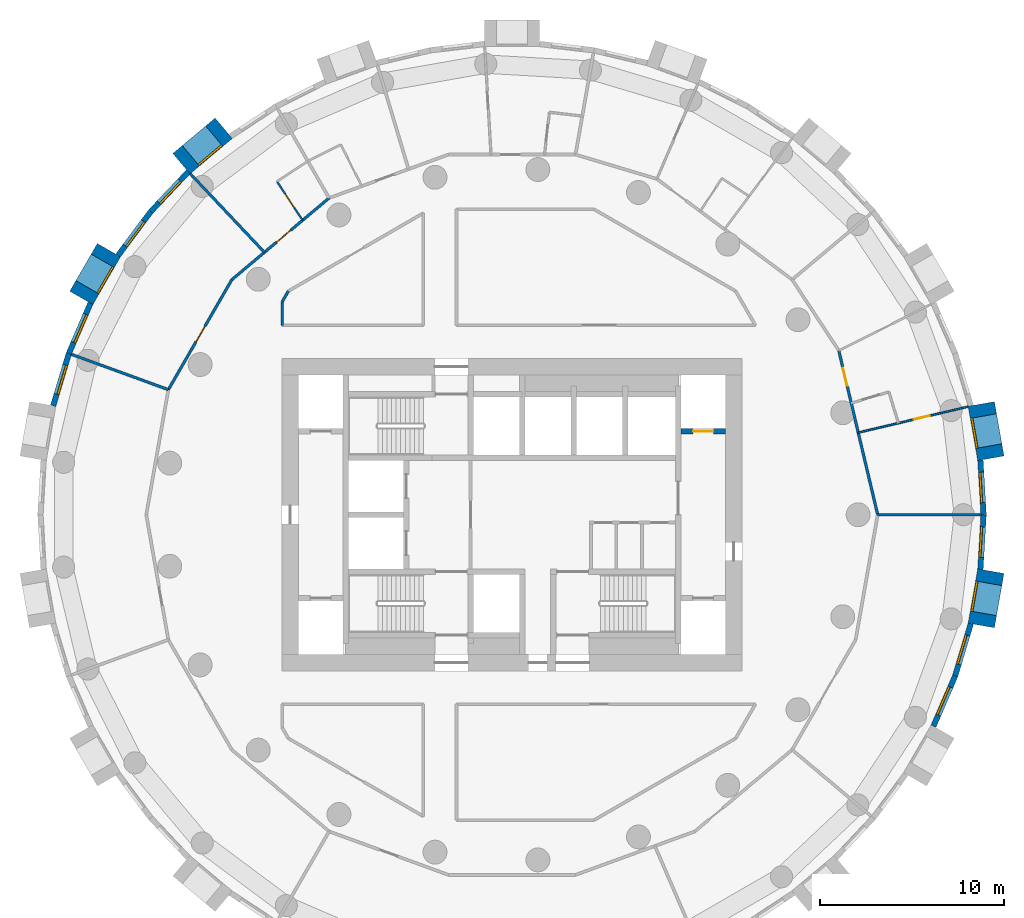
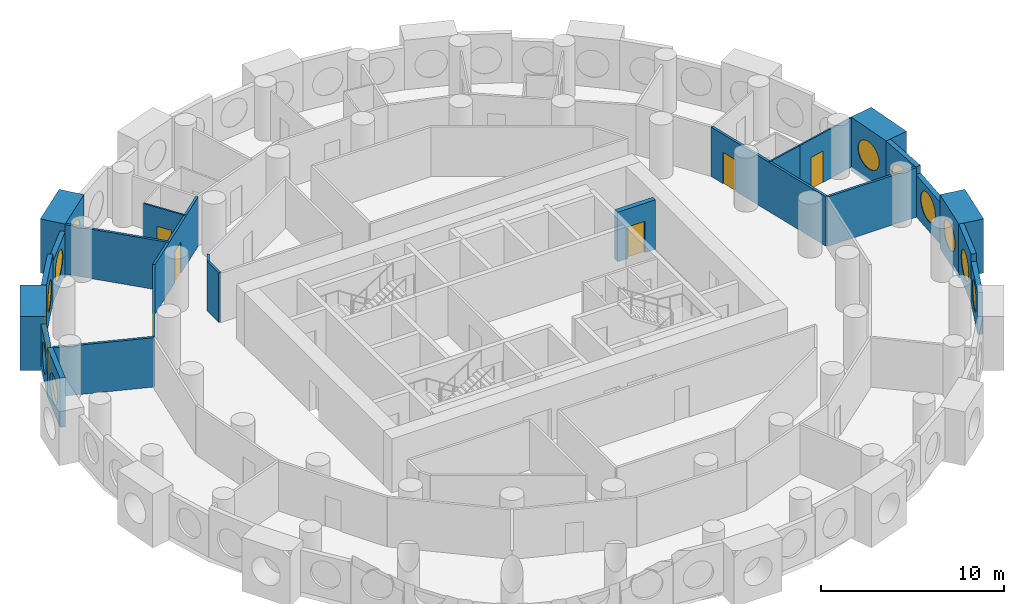
# One storey, part 5 of 9: 24 walls, 12 windows, 6 doors, 18 openings.
"""IFC4 building model written with IfcOpenShell, lengths in metres."""

from ifc_helpers import new_model, si_unit, direction, frame, frame_2d, origin, origin_2d, place, context, subcontext, project, spatial, rectangle, circle, extrude, material, layer, layer_set, type_object, element, fill, save


model = new_model("IFC4")

# Units and contexts
model_context = context("Model", 3, precision=1e-05, world=origin(), true_north=direction((0.0, 1.0)))
body_context = subcontext(model_context, "Body", "Model", "MODEL_VIEW")
ifc_project = project(units=[si_unit("LENGTHUNIT", "METRE"), si_unit("AREAUNIT", "SQUARE_METRE"), si_unit("VOLUMEUNIT", "CUBIC_METRE"), si_unit("PLANEANGLEUNIT", "RADIAN"), si_unit("MASSUNIT", "GRAM", prefix="KILO")], contexts=[model_context])

# Site, building, storey
site_placement = place(None, origin())
site = spatial("IfcSite", under=ifc_project, at=site_placement, CompositionType="ELEMENT")
building_placement = place(site_placement, origin())
building = spatial("IfcBuilding", under=site, at=building_placement, Name="Tracery Tower", CompositionType="ELEMENT")
storey_placement = place(building_placement, frame((0.0, 0.0, 172.800048828125)))
storey = spatial("IfcBuildingStorey", under=building, at=storey_placement, Name="L44", CompositionType="ELEMENT", Elevation=172.800048828125)

# Wall, opening, window
ifc_material_1 = material(Name="Precast concrete C50/60", Category="concrete")
ifc_layer_1 = layer(ifc_material_1, 1.449951171875)
ifc_layer_set_1 = layer_set([ifc_layer_1], Name="Deep-set bay unit 3000 x 3600, slab edge 300")
wall_type_1 = type_object("IfcWallType", Name="Deep-set bay unit 3000 x 3600, slab edge 300", PredefinedType="ELEMENTEDWALL", material=ifc_layer_set_1)
wall_1_placement = place(storey_placement, frame((26.041748046875, 3.06884765625, -0.300048828125), z_axis=(0.0, 0.0, 1.0), x_axis=(-0.173669267716, 0.984804034035, 0.0)))
wall_1 = element("IfcWall", 1, at=wall_1_placement, inside=storey, type_object=wall_type_1, Name="Deep-set bay unit 2 at L44", PredefinedType="ELEMENTEDWALL", context=body_context, shape_type="SweptSolid", body=[
    extrude(rectangle(XDim=3.0, YDim=1.449951171875, at=frame_2d((1.5, 0.0))), origin(), (0.0, 0.0, 1.0), 3.60009765625),
])
opening_1_placement = place(wall_1_placement, frame((1.5, 0.0, 1.85009765625)))
opening_1 = element("IfcOpeningElement", 2, at=opening_1_placement, cuts=wall_1, Name="Opening WN1", PredefinedType="OPENING", context=body_context, shape_type="SweptSolid", body=[
    extrude(circle(Radius=0.9000244140625, at=origin_2d()), frame((0.0, 0.73486328125, 0.0), z_axis=(0.0, -1.0, 0.0), x_axis=(1.0, 0.0, 0.0)), (0.0, 0.0, 1.0), 1.469970703125),
])
ifc_material_2 = material(Name="Aluminium frame with tinted double glazing", Category="aluminium")
window_type = type_object("IfcWindowType", Name="Round window 1800", PartitioningType="SINGLE_PANEL", PredefinedType="WINDOW", material=ifc_material_2)
window_1_placement = place(opening_1_placement, origin())
window_1 = element("IfcWindow", 3, at=window_1_placement, inside=storey, type_object=window_type, Name="Round window 2 at L44", OverallHeight=1.800048828125, OverallWidth=1.800048828125, PartitioningType="SINGLE_PANEL", PredefinedType="WINDOW", context=body_context, shape_type="SweptSolid", body=[
    extrude(circle(Radius=0.9000244140625, at=origin_2d()), frame((0.0, 0.69482421875, 0.0), z_axis=(0.0, -1.0, 0.0), x_axis=(1.0, 0.0, 0.0)), (0.0, 0.0, 1.0), 0.10009765625),
])
fill(opening_1, window_1)

wall_2_placement = place(storey_placement, frame((-15.678466796875, 21.0185546875, -0.300048828125), z_axis=(0.0, 0.0, 1.0), x_axis=(-0.766022196139, -0.642814121673, 0.0)))
wall_2 = element("IfcWall", 4, at=wall_2_placement, inside=storey, type_object=wall_type_1, Name="Deep-set bay unit 20 at L44", PredefinedType="ELEMENTEDWALL", context=body_context, shape_type="SweptSolid", body=[
    extrude(rectangle(XDim=3.0, YDim=1.449951171875, at=frame_2d((1.5, 0.0))), origin(), (0.0, 0.0, 1.0), 3.60009765625),
])
opening_2_placement = place(wall_2_placement, frame((1.5, 0.0, 1.85009765625)))
opening_2 = element("IfcOpeningElement", 5, at=opening_2_placement, cuts=wall_2, Name="Opening WN1", PredefinedType="OPENING", context=body_context, shape_type="SweptSolid", body=[
    extrude(circle(Radius=0.9000244140625, at=origin_2d()), frame((0.0, 0.73486328125, 0.0), z_axis=(0.0, -1.0, 0.0), x_axis=(1.0, 0.0, 0.0)), (0.0, 0.0, 1.0), 1.469970703125),
])
window_2_placement = place(opening_2_placement, origin())
window_2 = element("IfcWindow", 6, at=window_2_placement, inside=storey, type_object=window_type, Name="Round window 20 at L44", OverallHeight=1.800048828125, OverallWidth=1.800048828125, PartitioningType="SINGLE_PANEL", PredefinedType="WINDOW", context=body_context, shape_type="SweptSolid", body=[
    extrude(circle(Radius=0.9000244140625, at=origin_2d()), frame((0.0, 0.69482421875, 0.0), z_axis=(0.0, -1.0, 0.0), x_axis=(1.0, 0.0, 0.0)), (0.0, 0.0, 1.0), 0.10009765625),
])
fill(opening_2, window_2)

wall_3_placement = place(storey_placement, frame((-21.921630859375, 14.388671875, -0.300048828125), z_axis=(0.0, 0.0, 1.0), x_axis=(-0.499990139034, -0.866031096941, 0.0)))
wall_3 = element("IfcWall", 7, at=wall_3_placement, inside=storey, type_object=wall_type_1, Name="Deep-set bay unit 23 at L44", PredefinedType="ELEMENTEDWALL", context=body_context, shape_type="SweptSolid", body=[
    extrude(rectangle(XDim=3.0, YDim=1.449951171875, at=frame_2d((1.5, 0.0))), origin(), (0.0, 0.0, 1.0), 3.60009765625),
])
opening_3_placement = place(wall_3_placement, frame((1.5, 0.0, 1.85009765625)))
opening_3 = element("IfcOpeningElement", 8, at=opening_3_placement, cuts=wall_3, Name="Opening WN1", PredefinedType="OPENING", context=body_context, shape_type="SweptSolid", body=[
    extrude(circle(Radius=0.9000244140625, at=origin_2d()), frame((0.0, 0.73486328125, 0.0), z_axis=(0.0, -1.0, 0.0), x_axis=(1.0, 0.0, 0.0)), (0.0, 0.0, 1.0), 1.469970703125),
])
window_3_placement = place(opening_3_placement, origin())
window_3 = element("IfcWindow", 9, at=window_3_placement, inside=storey, type_object=window_type, Name="Round window 23 at L44", OverallHeight=1.800048828125, OverallWidth=1.800048828125, PartitioningType="SINGLE_PANEL", PredefinedType="WINDOW", context=body_context, shape_type="SweptSolid", body=[
    extrude(circle(Radius=0.9000244140625, at=origin_2d()), frame((0.0, 0.69482421875, 0.0), z_axis=(0.0, -1.0, 0.0), x_axis=(1.0, 0.0, 0.0)), (0.0, 0.0, 1.0), 0.10009765625),
])
fill(opening_3, window_3)

wall_4_placement = place(storey_placement, frame((25.520751953125, -6.023193359375, -0.300048828125), z_axis=(0.0, 0.0, 1.0), x_axis=(0.173669267716, 0.984804034035, 0.0)))
wall_4 = element("IfcWall", 10, at=wall_4_placement, inside=storey, type_object=wall_type_1, Name="Deep-set bay unit 53 at L44", PredefinedType="ELEMENTEDWALL", context=body_context, shape_type="SweptSolid", body=[
    extrude(rectangle(XDim=3.0, YDim=1.449951171875, at=frame_2d((1.5, 0.0))), origin(), (0.0, 0.0, 1.0), 3.60009765625),
])
opening_4_placement = place(wall_4_placement, frame((1.5, 0.0, 1.85009765625)))
opening_4 = element("IfcOpeningElement", 11, at=opening_4_placement, cuts=wall_4, Name="Opening WN1", PredefinedType="OPENING", context=body_context, shape_type="SweptSolid", body=[
    extrude(circle(Radius=0.9000244140625, at=origin_2d()), frame((0.0, 0.73486328125, 0.0), z_axis=(0.0, -1.0, 0.0), x_axis=(1.0, 0.0, 0.0)), (0.0, 0.0, 1.0), 1.469970703125),
])
window_4_placement = place(opening_4_placement, origin())
window_4 = element("IfcWindow", 12, at=window_4_placement, inside=storey, type_object=window_type, Name="Round window 53 at L44", OverallHeight=1.800048828125, OverallWidth=1.800048828125, PartitioningType="SINGLE_PANEL", PredefinedType="WINDOW", context=body_context, shape_type="SweptSolid", body=[
    extrude(circle(Radius=0.9000244140625, at=origin_2d()), frame((0.0, 0.69482421875, 0.0), z_axis=(0.0, -1.0, 0.0), x_axis=(1.0, 0.0, 0.0)), (0.0, 0.0, 1.0), 0.10009765625),
])
fill(opening_4, window_4)

ifc_material_3 = material(Name="Precast concrete C50/60", Category="concrete")
ifc_layer_2 = layer(ifc_material_3, 0.300048828125)
ifc_layer_set_2 = layer_set([ifc_layer_2], Name="Facade panel 3000 x 2800")
wall_type_2 = type_object("IfcWallType", Name="Facade panel 3000 x 2800", PredefinedType="SOLIDWALL", material=ifc_layer_set_2)
wall_5_placement = place(storey_placement, frame((-17.60693359375, 18.648193359375, 0.0), z_axis=(0.0, 0.0, 1.0), x_axis=(-0.686235184166, -0.727379730273, 0.0)))
wall_5 = element("IfcWall", 13, at=wall_5_placement, inside=storey, type_object=wall_type_2, Name="Facade panel 21 at L44", PredefinedType="SOLIDWALL", context=body_context, shape_type="SweptSolid", body=[
    extrude(rectangle(XDim=2.972900390625, YDim=0.300048828125, at=frame_2d((1.486328125, 0.0))), origin(), (0.0, 0.0, 1.0), 2.800048828125),
])
opening_5_placement = place(wall_5_placement, frame((1.486328125, 0.0, 1.5498046875)))
opening_5 = element("IfcOpeningElement", 14, at=opening_5_placement, cuts=wall_5, Name="Opening WN1", PredefinedType="OPENING", context=body_context, shape_type="SweptSolid", body=[
    extrude(circle(Radius=0.9000244140625, at=origin_2d()), frame((0.0, 0.159912109375, 0.0), z_axis=(0.0, -1.0, 0.0), x_axis=(1.0, 0.0, 0.0)), (0.0, 0.0, 1.0), 0.320068359375),
])
window_5_placement = place(opening_5_placement, origin())
window_5 = element("IfcWindow", 15, at=window_5_placement, inside=storey, type_object=window_type, Name="Round window 21 at L44", OverallHeight=1.800048828125, OverallWidth=1.800048828125, PartitioningType="SINGLE_PANEL", PredefinedType="WINDOW", context=body_context, shape_type="SweptSolid", body=[
    extrude(circle(Radius=0.9000244140625, at=origin_2d()), frame((0.0, 0.1201171875, 0.0), z_axis=(0.0, -1.0, 0.0), x_axis=(1.0, 0.0, 0.0)), (0.0, 0.0, 1.0), 0.10009765625),
])
fill(opening_5, window_5)

wall_6_placement = place(storey_placement, frame((-22.923095703125, 11.501708984375, 0.0), z_axis=(0.0, 0.0, 1.0), x_axis=(-0.396148129016, -0.918186614952, 0.0)))
wall_6 = element("IfcWall", 16, at=wall_6_placement, inside=storey, type_object=wall_type_2, Name="Facade panel 24 at L44", PredefinedType="SOLIDWALL", context=body_context, shape_type="SweptSolid", body=[
    extrude(rectangle(XDim=2.972900390625, YDim=0.300048828125, at=frame_2d((1.486328125, 0.0))), origin(), (0.0, 0.0, 1.0), 2.800048828125),
])
opening_6_placement = place(wall_6_placement, frame((1.486328125, 0.0, 1.5498046875)))
opening_6 = element("IfcOpeningElement", 17, at=opening_6_placement, cuts=wall_6, Name="Opening WN1", PredefinedType="OPENING", context=body_context, shape_type="SweptSolid", body=[
    extrude(circle(Radius=0.9000244140625, at=origin_2d()), frame((0.0, 0.159912109375, 0.0), z_axis=(0.0, -1.0, 0.0), x_axis=(1.0, 0.0, 0.0)), (0.0, 0.0, 1.0), 0.320068359375),
])
window_6_placement = place(opening_6_placement, origin())
window_6 = element("IfcWindow", 18, at=window_6_placement, inside=storey, type_object=window_type, Name="Round window 24 at L44", OverallHeight=1.800048828125, OverallWidth=1.800048828125, PartitioningType="SINGLE_PANEL", PredefinedType="WINDOW", context=body_context, shape_type="SweptSolid", body=[
    extrude(circle(Radius=0.9000244140625, at=origin_2d()), frame((0.0, 0.1201171875, 0.0), z_axis=(0.0, -1.0, 0.0), x_axis=(1.0, 0.0, 0.0)), (0.0, 0.0, 1.0), 0.10009765625),
])
fill(opening_6, window_6)

wall_7_placement = place(storey_placement, frame((22.923095703125, -11.501708984375, 0.0), z_axis=(0.0, 0.0, 1.0), x_axis=(0.396148129016, 0.918186614952, 0.0)))
wall_7 = element("IfcWall", 19, at=wall_7_placement, inside=storey, type_object=wall_type_2, Name="Facade panel 51 at L44", PredefinedType="SOLIDWALL", context=body_context, shape_type="SweptSolid", body=[
    extrude(rectangle(XDim=2.972900390625, YDim=0.300048828125, at=frame_2d((1.486328125, 0.0))), origin(), (0.0, 0.0, 1.0), 2.800048828125),
])
opening_7_placement = place(wall_7_placement, frame((1.486328125, 0.0, 1.5498046875)))
opening_7 = element("IfcOpeningElement", 20, at=opening_7_placement, cuts=wall_7, Name="Opening WN1", PredefinedType="OPENING", context=body_context, shape_type="SweptSolid", body=[
    extrude(circle(Radius=0.9000244140625, at=origin_2d()), frame((0.0, 0.159912109375, 0.0), z_axis=(0.0, -1.0, 0.0), x_axis=(1.0, 0.0, 0.0)), (0.0, 0.0, 1.0), 0.320068359375),
])
window_7_placement = place(opening_7_placement, origin())
window_7 = element("IfcWindow", 21, at=window_7_placement, inside=storey, type_object=window_type, Name="Round window 51 at L44", OverallHeight=1.800048828125, OverallWidth=1.800048828125, PartitioningType="SINGLE_PANEL", PredefinedType="WINDOW", context=body_context, shape_type="SweptSolid", body=[
    extrude(circle(Radius=0.9000244140625, at=origin_2d()), frame((0.0, 0.1201171875, 0.0), z_axis=(0.0, -1.0, 0.0), x_axis=(1.0, 0.0, 0.0)), (0.0, 0.0, 1.0), 0.10009765625),
])
fill(opening_7, window_7)

wall_8_placement = place(storey_placement, frame((25.474609375, -2.9677734375, 0.0), z_axis=(0.0, 0.0, 1.0), x_axis=(0.058144307138, 0.998308188661, 0.0)))
wall_8 = element("IfcWall", 22, at=wall_8_placement, inside=storey, type_object=wall_type_2, Name="Facade panel 54 at L44", PredefinedType="SOLIDWALL", context=body_context, shape_type="SweptSolid", body=[
    extrude(rectangle(XDim=2.972900390625, YDim=0.300048828125, at=frame_2d((1.486328125, 0.0))), origin(), (0.0, 0.0, 1.0), 2.800048828125),
])
opening_8_placement = place(wall_8_placement, frame((1.486328125, 0.0, 1.5498046875)))
opening_8 = element("IfcOpeningElement", 23, at=opening_8_placement, cuts=wall_8, Name="Opening WN1", PredefinedType="OPENING", context=body_context, shape_type="SweptSolid", body=[
    extrude(circle(Radius=0.9000244140625, at=origin_2d()), frame((0.0, 0.159912109375, 0.0), z_axis=(0.0, -1.0, 0.0), x_axis=(1.0, 0.0, 0.0)), (0.0, 0.0, 1.0), 0.320068359375),
])
window_8_placement = place(opening_8_placement, origin())
window_8 = element("IfcWindow", 24, at=window_8_placement, inside=storey, type_object=window_type, Name="Round window 54 at L44", OverallHeight=1.800048828125, OverallWidth=1.800048828125, PartitioningType="SINGLE_PANEL", PredefinedType="WINDOW", context=body_context, shape_type="SweptSolid", body=[
    extrude(circle(Radius=0.9000244140625, at=origin_2d()), frame((0.0, 0.1201171875, 0.0), z_axis=(0.0, -1.0, 0.0), x_axis=(1.0, 0.0, 0.0)), (0.0, 0.0, 1.0), 0.10009765625),
])
fill(opening_8, window_8)

ifc_material_4 = material(Name="Precast concrete C50/60", Category="concrete")
ifc_layer_3 = layer(ifc_material_4, 0.300048828125)
ifc_layer_set_3 = layer_set([ifc_layer_3], Name="Facade panel 3000 x 3300")
wall_type_3 = type_object("IfcWallType", Name="Facade panel 3000 x 3300", PredefinedType="SOLIDWALL", material=ifc_layer_set_3)
wall_9_placement = place(storey_placement, frame((25.6474609375, 0.0, 0.0), z_axis=(0.0, 0.0, 1.0), x_axis=(-0.058144307138, 0.998308188661, 0.0)))
wall_9 = element("IfcWall", 25, at=wall_9_placement, inside=storey, type_object=wall_type_3, Name="Facade panel 1 at L44", PredefinedType="SOLIDWALL", context=body_context, shape_type="SweptSolid", body=[
    extrude(rectangle(XDim=2.972900390625, YDim=0.300048828125, at=frame_2d((1.486328125, 0.0))), origin(), (0.0, 0.0, 1.0), 3.300048828125),
])
opening_9_placement = place(wall_9_placement, frame((1.486328125, 0.0, 1.5498046875)))
opening_9 = element("IfcOpeningElement", 26, at=opening_9_placement, cuts=wall_9, Name="Opening WN1", PredefinedType="OPENING", context=body_context, shape_type="SweptSolid", body=[
    extrude(circle(Radius=0.9000244140625, at=origin_2d()), frame((0.0, 0.159912109375, 0.0), z_axis=(0.0, -1.0, 0.0), x_axis=(1.0, 0.0, 0.0)), (0.0, 0.0, 1.0), 0.320068359375),
])
window_9_placement = place(opening_9_placement, origin())
window_9 = element("IfcWindow", 27, at=window_9_placement, inside=storey, type_object=window_type, Name="Round window 1 at L44", OverallHeight=1.800048828125, OverallWidth=1.800048828125, PartitioningType="SINGLE_PANEL", PredefinedType="WINDOW", context=body_context, shape_type="SweptSolid", body=[
    extrude(circle(Radius=0.9000244140625, at=origin_2d()), frame((0.0, 0.1201171875, 0.0), z_axis=(0.0, -1.0, 0.0), x_axis=(1.0, 0.0, 0.0)), (0.0, 0.0, 1.0), 0.10009765625),
])
fill(opening_9, window_9)

wall_10_placement = place(storey_placement, frame((-19.64697265625, 16.48583984375, 0.0), z_axis=(0.0, 0.0, 1.0), x_axis=(-0.597197580538, -0.80209416517, 0.0)))
wall_10 = element("IfcWall", 28, at=wall_10_placement, inside=storey, type_object=wall_type_3, Name="Facade panel 22 at L44", PredefinedType="SOLIDWALL", context=body_context, shape_type="SweptSolid", body=[
    extrude(rectangle(XDim=2.972900390625, YDim=0.300048828125, at=frame_2d((1.486328125, 0.0))), origin(), (0.0, 0.0, 1.0), 3.300048828125),
])
opening_10_placement = place(wall_10_placement, frame((1.486328125, 0.0, 1.5498046875)))
opening_10 = element("IfcOpeningElement", 29, at=opening_10_placement, cuts=wall_10, Name="Opening WN1", PredefinedType="OPENING", context=body_context, shape_type="SweptSolid", body=[
    extrude(circle(Radius=0.9000244140625, at=origin_2d()), frame((0.0, 0.159912109375, 0.0), z_axis=(0.0, -1.0, 0.0), x_axis=(1.0, 0.0, 0.0)), (0.0, 0.0, 1.0), 0.320068359375),
])
window_10_placement = place(opening_10_placement, origin())
window_10 = element("IfcWindow", 30, at=window_10_placement, inside=storey, type_object=window_type, Name="Round window 22 at L44", OverallHeight=1.800048828125, OverallWidth=1.800048828125, PartitioningType="SINGLE_PANEL", PredefinedType="WINDOW", context=body_context, shape_type="SweptSolid", body=[
    extrude(circle(Radius=0.9000244140625, at=origin_2d()), frame((0.0, 0.1201171875, 0.0), z_axis=(0.0, -1.0, 0.0), x_axis=(1.0, 0.0, 0.0)), (0.0, 0.0, 1.0), 0.10009765625),
])
fill(opening_10, window_10)

wall_11_placement = place(storey_placement, frame((-24.100830078125, 8.77197265625, 0.0), z_axis=(0.0, 0.0, 1.0), x_axis=(-0.286782750849, -0.957995643944, 0.0)))
wall_11 = element("IfcWall", 31, at=wall_11_placement, inside=storey, type_object=wall_type_3, Name="Facade panel 25 at L44", PredefinedType="SOLIDWALL", context=body_context, shape_type="SweptSolid", body=[
    extrude(rectangle(XDim=2.97265625, YDim=0.300048828125, at=frame_2d((1.486328125, 0.0))), origin(), (0.0, 0.0, 1.0), 3.300048828125),
])
opening_11_placement = place(wall_11_placement, frame((1.486328125, 0.0, 1.5498046875)))
opening_11 = element("IfcOpeningElement", 32, at=opening_11_placement, cuts=wall_11, Name="Opening WN1", PredefinedType="OPENING", context=body_context, shape_type="SweptSolid", body=[
    extrude(circle(Radius=0.9000244140625, at=origin_2d()), frame((0.0, 0.159912109375, 0.0), z_axis=(0.0, -1.0, 0.0), x_axis=(1.0, 0.0, 0.0)), (0.0, 0.0, 1.0), 0.320068359375),
])
window_11_placement = place(opening_11_placement, origin())
window_11 = element("IfcWindow", 33, at=window_11_placement, inside=storey, type_object=window_type, Name="Round window 25 at L44", OverallHeight=1.800048828125, OverallWidth=1.800048828125, PartitioningType="SINGLE_PANEL", PredefinedType="WINDOW", context=body_context, shape_type="SweptSolid", body=[
    extrude(circle(Radius=0.9000244140625, at=origin_2d()), frame((0.0, 0.1201171875, 0.0), z_axis=(0.0, -1.0, 0.0), x_axis=(1.0, 0.0, 0.0)), (0.0, 0.0, 1.0), 0.10009765625),
])
fill(opening_11, window_11)

wall_12_placement = place(storey_placement, frame((24.100830078125, -8.77197265625, 0.0), z_axis=(0.0, 0.0, 1.0), x_axis=(0.286782750849, 0.957995643944, 0.0)))
wall_12 = element("IfcWall", 34, at=wall_12_placement, inside=storey, type_object=wall_type_3, Name="Facade panel 52 at L44", PredefinedType="SOLIDWALL", context=body_context, shape_type="SweptSolid", body=[
    extrude(rectangle(XDim=2.97265625, YDim=0.300048828125, at=frame_2d((1.486328125, 0.0))), origin(), (0.0, 0.0, 1.0), 3.300048828125),
])
opening_12_placement = place(wall_12_placement, frame((1.486328125, 0.0, 1.5498046875)))
opening_12 = element("IfcOpeningElement", 35, at=opening_12_placement, cuts=wall_12, Name="Opening WN1", PredefinedType="OPENING", context=body_context, shape_type="SweptSolid", body=[
    extrude(circle(Radius=0.9000244140625, at=origin_2d()), frame((0.0, 0.159912109375, 0.0), z_axis=(0.0, -1.0, 0.0), x_axis=(1.0, 0.0, 0.0)), (0.0, 0.0, 1.0), 0.320068359375),
])
window_12_placement = place(opening_12_placement, origin())
window_12 = element("IfcWindow", 36, at=window_12_placement, inside=storey, type_object=window_type, Name="Round window 52 at L44", OverallHeight=1.800048828125, OverallWidth=1.800048828125, PartitioningType="SINGLE_PANEL", PredefinedType="WINDOW", context=body_context, shape_type="SweptSolid", body=[
    extrude(circle(Radius=0.9000244140625, at=origin_2d()), frame((0.0, 0.1201171875, 0.0), z_axis=(0.0, -1.0, 0.0), x_axis=(1.0, 0.0, 0.0)), (0.0, 0.0, 1.0), 0.10009765625),
])
fill(opening_12, window_12)

# Wall, opening, door
ifc_material_5 = material(Name="Plasterboard on steel studs", Category="steel")
ifc_layer_4 = layer(ifc_material_5, 0.10009765625)
ifc_layer_set_4 = layer_set([ifc_layer_4], Name="Partition 100 stud")
wall_type_4 = type_object("IfcWallType", Name="Partition 100 stud", PredefinedType="PARTITIONING", material=ifc_layer_set_4)
wall_13_placement = place(storey_placement, frame((21.010986328125, 4.97998046875, 0.0), z_axis=(0.0, 0.0, 1.0), x_axis=(0.973073275162, 0.230495989477, 0.0)))
wall_13 = element("IfcWall", 37, at=wall_13_placement, inside=storey, type_object=wall_type_4, Name="Stud partition RB5-039", PredefinedType="PARTITIONING", context=body_context, shape_type="SweptSolid", body=[
    extrude(rectangle(XDim=3.904296875, YDim=0.10009765625, at=frame_2d((1.9521484375, 0.0))), origin(), (0.0, 0.0, 1.0), 3.300048828125),
])
opening_13_placement = place(wall_13_placement, frame((0.852294921875, 0.0, 0.0)))
opening_13 = element("IfcOpeningElement", 38, at=opening_13_placement, cuts=wall_13, Name="Opening RB5-05", PredefinedType="OPENING", context=body_context, shape_type="SweptSolid", body=[
    extrude(rectangle(XDim=0.89990234375, YDim=2.10009765625, at=frame_2d((0.449951171875, 1.050048828125))), frame((0.0, 0.050048828125, 0.0), z_axis=(0.0, -1.0, 0.0), x_axis=(1.0, 0.0, 0.0)), (0.0, 0.0, 1.0), 0.10009765625),
])
ifc_material_6 = material(Name="Timber door leaf", Category="wood")
door_type_1 = type_object("IfcDoorType", Name="Door bedroom 900", OperationType="NOTDEFINED", PredefinedType="DOOR", material=ifc_material_6)
door_1_placement = place(opening_13_placement, origin())
door_1 = element("IfcDoor", 39, at=door_1_placement, inside=storey, type_object=door_type_1, Name="Bedroom door RB5-05", OperationType="SINGLE_SWING_RIGHT", OverallHeight=2.10009765625, OverallWidth=0.89990234375, PredefinedType="DOOR", context=body_context, shape_type="SweptSolid", body=[
    extrude(rectangle(XDim=0.89990234375, YDim=2.10009765625, at=frame_2d((0.449951171875, 1.050048828125))), frame((0.0, 0.02490234375, 0.0), z_axis=(0.0, -1.0, 0.0), x_axis=(1.0, 0.0, 0.0)), (0.0, 0.0, 1.0), 0.050048828125),
])
fill(opening_13, door_1)

# Wall
ifc_material_7 = material(Name="Plasterboard on steel studs", Category="steel")
ifc_layer_5 = layer(ifc_material_7, 0.10009765625)
ifc_layer_set_5 = layer_set([ifc_layer_5], Name="Partition 100 wet wall")
wall_type_5 = type_object("IfcWallType", Name="Partition 100 wet wall", PredefinedType="PARTITIONING", material=ifc_layer_set_5)
wall_14_placement = place(storey_placement, frame((18.830078125, 4.462890625, 0.0), z_axis=(0.0, 0.0, 1.0), x_axis=(0.973019293695, 0.23072376145, 0.0)))
element("IfcWall", 40, at=wall_14_placement, inside=storey, type_object=wall_type_5, Name="Wet wall RB5-043", PredefinedType="PARTITIONING", context=body_context, shape_type="SweptSolid", body=[
    extrude(rectangle(XDim=2.245361328125, YDim=0.10009765625, at=frame_2d((1.12255859375, 0.0))), origin(), (0.0, 0.0, 1.0), 3.300048828125),
])

# Wall, opening, door
wall_15_placement = place(storey_placement, frame((-12.779052734375, 18.123046875, 0.0), z_axis=(0.0, 0.0, 1.0), x_axis=(0.549788507485, -0.835303895021, 0.0)))
wall_15 = element("IfcWall", 41, at=wall_15_placement, inside=storey, type_object=wall_type_5, Name="Wet wall RB5-060", PredefinedType="PARTITIONING", context=body_context, shape_type="SweptSolid", body=[
    extrude(rectangle(XDim=2.528564453125, YDim=0.10009765625, at=frame_2d((1.26416015625, 0.0))), origin(), (0.0, 0.0, 1.0), 3.300048828125),
])
opening_14_placement = place(wall_15_placement, frame((0.81396484375, 0.0, 0.0)))
opening_14 = element("IfcOpeningElement", 42, at=opening_14_placement, cuts=wall_15, Name="Opening RB5-18", PredefinedType="OPENING", context=body_context, shape_type="SweptSolid", body=[
    extrude(rectangle(XDim=0.89990234375, YDim=2.0400390625, at=frame_2d((0.449951171875, 1.02001953125))), frame((0.0, 0.050048828125, 0.0), z_axis=(0.0, -1.0, 0.0), x_axis=(1.0, 0.0, 0.0)), (0.0, 0.0, 1.0), 0.10009765625),
])
ifc_material_8 = material(Name="Timber door leaf", Category="wood")
door_type_2 = type_object("IfcDoorType", Name="Door en-suite 900", OperationType="NOTDEFINED", PredefinedType="DOOR", material=ifc_material_8)
door_2_placement = place(opening_14_placement, origin())
door_2 = element("IfcDoor", 43, at=door_2_placement, inside=storey, type_object=door_type_2, Name="En-suite door RB5-18", OperationType="SINGLE_SWING_LEFT", OverallHeight=2.0400390625, OverallWidth=0.89990234375, PredefinedType="DOOR", context=body_context, shape_type="SweptSolid", body=[
    extrude(rectangle(XDim=0.89990234375, YDim=2.0400390625, at=frame_2d((0.449951171875, 1.02001953125))), frame((0.0, 0.02490234375, 0.0), z_axis=(0.0, -1.0, 0.0), x_axis=(1.0, 0.0, 0.0)), (0.0, 0.0, 1.0), 0.050048828125),
])
fill(opening_14, door_2)

# Walls
ifc_material_9 = material(Name="Plasterboard on steel studs", Category="steel")
ifc_layer_6 = layer(ifc_material_9, 0.14990234375)
ifc_layer_set_6 = layer_set([ifc_layer_6], Name="Partition 150 acoustic unit wall")
wall_type_6 = type_object("IfcWallType", Name="Partition 150 acoustic unit wall", PredefinedType="PARTITIONING", material=ifc_layer_set_6)
wall_16_placement = place(storey_placement, frame((19.887939453125, 0.0, 0.0), z_axis=(0.0, 0.0, 1.0), x_axis=(1.0, 0.0, 0.0)))
element("IfcWall", 44, at=wall_16_placement, inside=storey, type_object=wall_type_6, Name="Unit wall RB5-044", PredefinedType="PARTITIONING", context=body_context, shape_type="SweptSolid", body=[
    extrude(rectangle(XDim=5.609130859375, YDim=0.14990234375, at=frame_2d((2.8046875, 0.0))), origin(), (0.0, 0.0, 1.0), 3.300048828125),
])
wall_17_placement = place(storey_placement, frame((-17.4970703125, 18.5458984375, 0.0), z_axis=(0.0, 0.0, 1.0), x_axis=(0.6862502776, -0.72736549031, 0.0)))
element("IfcWall", 45, at=wall_17_placement, inside=storey, type_object=wall_type_6, Name="Unit wall RB5-061", PredefinedType="PARTITIONING", context=body_context, shape_type="SweptSolid", body=[
    extrude(rectangle(XDim=5.878662109375, YDim=0.14990234375, at=frame_2d((2.939453125, 0.0))), origin(), (0.0, 0.0, 1.0), 3.300048828125),
])
wall_18_placement = place(storey_placement, frame((-23.9599609375, 8.720947265625, 0.0), z_axis=(0.0, 0.0, 1.0), x_axis=(0.939686652043, -0.342036541866, 0.0)))
element("IfcWall", 46, at=wall_18_placement, inside=storey, type_object=wall_type_6, Name="Unit wall RB5-062", PredefinedType="PARTITIONING", context=body_context, shape_type="SweptSolid", body=[
    extrude(rectangle(XDim=5.6103515625, YDim=0.14990234375, at=frame_2d((2.80517578125, 0.0))), origin(), (0.0, 0.0, 1.0), 3.300048828125),
])

# Wall, opening, door
ifc_material_10 = material(Name="Plasterboard on steel studs", Category="steel")
ifc_layer_7 = layer(ifc_material_10, 0.14990234375)
ifc_layer_set_7 = layer_set([ifc_layer_7], Name="Partition 150 corridor wall")
wall_type_7 = type_object("IfcWallType", Name="Partition 150 corridor wall", PredefinedType="PARTITIONING", material=ifc_layer_set_7)
wall_19_placement = place(storey_placement, frame((17.77197265625, 8.926025390625, 0.0), z_axis=(0.0, 0.0, 1.0), x_axis=(0.230531374136, -0.973064892769, 0.0)))
wall_19 = element("IfcWall", 47, at=wall_19_placement, inside=storey, type_object=wall_type_7, Name="Corridor wall RB5-007", PredefinedType="PARTITIONING", context=body_context, shape_type="SweptSolid", body=[
    extrude(rectangle(XDim=9.17333984375, YDim=0.14990234375, at=frame_2d((4.586669921875, 0.0))), origin(), (0.0, 0.0, 1.0), 3.300048828125),
])
opening_15_placement = place(wall_19_placement, frame((0.972900390625, 0.0, 0.0)))
opening_15 = element("IfcOpeningElement", 48, at=opening_15_placement, cuts=wall_19, Name="Opening RB5-08", PredefinedType="OPENING", context=body_context, shape_type="SweptSolid", body=[
    extrude(rectangle(XDim=1.0, YDim=2.10009765625, at=frame_2d((0.5, 1.050048828125))), frame((0.0, 0.074951171875, 0.0), z_axis=(0.0, -1.0, 0.0), x_axis=(1.0, 0.0, 0.0)), (0.0, 0.0, 1.0), 0.14990234375),
])
ifc_material_11 = material(Name="Timber door leaf", Category="wood")
door_type_3 = type_object("IfcDoorType", Name="Door unit entrance 1000", OperationType="NOTDEFINED", PredefinedType="DOOR", material=ifc_material_11)
door_3_placement = place(opening_15_placement, origin())
door_3 = element("IfcDoor", 49, at=door_3_placement, inside=storey, type_object=door_type_3, Name="Unit entrance door RB5-08", OperationType="SINGLE_SWING_RIGHT", OverallHeight=2.10009765625, OverallWidth=1.0, PredefinedType="DOOR", context=body_context, shape_type="SweptSolid", body=[
    extrude(rectangle(XDim=1.0, YDim=2.10009765625, at=frame_2d((0.5, 1.050048828125))), frame((0.0, 0.02490234375, 0.0), z_axis=(0.0, -1.0, 0.0), x_axis=(1.0, 0.0, 0.0)), (0.0, 0.0, 1.0), 0.050048828125),
])
fill(opening_15, door_3)

wall_20_placement = place(storey_placement, frame((-15.23388671875, 12.782958984375, 0.0), z_axis=(0.0, 0.0, 1.0), x_axis=(0.765918610974, 0.642937540795, 0.0)))
wall_20 = element("IfcWall", 50, at=wall_20_placement, inside=storey, type_object=wall_type_7, Name="Corridor wall RB5-021", PredefinedType="PARTITIONING", context=body_context, shape_type="SweptSolid", body=[
    extrude(rectangle(XDim=6.906494140625, YDim=0.14990234375, at=frame_2d((3.453125, 0.0))), origin(), (0.0, 0.0, 1.0), 3.300048828125),
])
opening_16_placement = place(wall_20_placement, frame((3.16650390625, 0.0, 0.0)))
opening_16 = element("IfcOpeningElement", 51, at=opening_16_placement, cuts=wall_20, Name="Opening RB5-19", PredefinedType="OPENING", context=body_context, shape_type="SweptSolid", body=[
    extrude(rectangle(XDim=1.0, YDim=2.10009765625, at=frame_2d((0.5, 1.050048828125))), frame((0.0, 0.074951171875, 0.0), z_axis=(0.0, -1.0, 0.0), x_axis=(1.0, 0.0, 0.0)), (0.0, 0.0, 1.0), 0.14990234375),
])
door_4_placement = place(opening_16_placement, origin())
door_4 = element("IfcDoor", 52, at=door_4_placement, inside=storey, type_object=door_type_3, Name="Unit entrance door RB5-19", OperationType="SINGLE_SWING_RIGHT", OverallHeight=2.10009765625, OverallWidth=1.0, PredefinedType="DOOR", context=body_context, shape_type="SweptSolid", body=[
    extrude(rectangle(XDim=1.0, YDim=2.10009765625, at=frame_2d((0.5, 1.050048828125))), frame((0.0, 0.02490234375, 0.0), z_axis=(0.0, -1.0, 0.0), x_axis=(1.0, 0.0, 0.0)), (0.0, 0.0, 1.0), 0.050048828125),
])
fill(opening_16, door_4)

# Walls
wall_21_placement = place(storey_placement, frame((-12.5, 11.576904296875, 0.0), z_axis=(0.0, 0.0, 1.0), x_axis=(0.500024767483, 0.866011103799, 0.0)))
element("IfcWall", 53, at=wall_21_placement, inside=storey, type_object=wall_type_7, Name="Corridor wall RB5-022", PredefinedType="PARTITIONING", context=body_context, shape_type="SweptSolid", body=[
    extrude(rectangle(XDim=0.67578125, YDim=0.14990234375, at=frame_2d((0.337890625, 0.0))), origin(), (0.0, 0.0, 1.0), 3.300048828125),
])
wall_22_placement = place(storey_placement, frame((-12.5, 10.300048828125, 0.0), z_axis=(0.0, 0.0, 1.0), x_axis=(0.0, 1.0, 0.0)))
element("IfcWall", 54, at=wall_22_placement, inside=storey, type_object=wall_type_7, Name="Corridor wall RB5-023", PredefinedType="PARTITIONING", context=body_context, shape_type="SweptSolid", body=[
    extrude(rectangle(XDim=1.27685546875, YDim=0.14990234375, at=frame_2d((0.638427734375, 0.0))), origin(), (0.0, 0.0, 1.0), 3.300048828125),
])

# Wall, opening, door
wall_23_placement = place(storey_placement, frame((-18.68798828125, 6.802001953125, 0.0), z_axis=(0.0, 0.0, 1.0), x_axis=(0.499914202267, 0.866074933462, 0.0)))
wall_23 = element("IfcWall", 55, at=wall_23_placement, inside=storey, type_object=wall_type_7, Name="Corridor wall RB5-026", PredefinedType="PARTITIONING", context=body_context, shape_type="SweptSolid", body=[
    extrude(rectangle(XDim=6.906982421875, YDim=0.14990234375, at=frame_2d((3.45361328125, 0.0))), origin(), (0.0, 0.0, 1.0), 3.300048828125),
])
opening_17_placement = place(wall_23_placement, frame((3.00390625, 0.0, 0.0)))
opening_17 = element("IfcOpeningElement", 56, at=opening_17_placement, cuts=wall_23, Name="Opening RB5-20", PredefinedType="OPENING", context=body_context, shape_type="SweptSolid", body=[
    extrude(rectangle(XDim=1.0, YDim=2.0400390625, at=frame_2d((0.5, 1.02001953125))), frame((0.0, 0.074951171875, 0.0), z_axis=(0.0, -1.0, 0.0), x_axis=(1.0, 0.0, 0.0)), (0.0, 0.0, 1.0), 0.14990234375),
])
ifc_material_12 = material(Name="Timber door leaf", Category="wood")
door_type_4 = type_object("IfcDoorType", Name="Door communal room 1000", OperationType="NOTDEFINED", PredefinedType="DOOR", material=ifc_material_12)
door_5_placement = place(opening_17_placement, origin())
door_5 = element("IfcDoor", 57, at=door_5_placement, inside=storey, type_object=door_type_4, Name="Communal room door RB5-20", OperationType="SINGLE_SWING_RIGHT", OverallHeight=2.0400390625, OverallWidth=1.0, PredefinedType="DOOR", context=body_context, shape_type="SweptSolid", body=[
    extrude(rectangle(XDim=1.0, YDim=2.0400390625, at=frame_2d((0.5, 1.02001953125))), frame((0.0, 0.02490234375, 0.0), z_axis=(0.0, -1.0, 0.0), x_axis=(1.0, 0.0, 0.0)), (0.0, 0.0, 1.0), 0.050048828125),
])
fill(opening_17, door_5)

ifc_material_13 = material(Name="Concrete C50/60", Category="concrete")
ifc_layer_8 = layer(ifc_material_13, 0.300048828125)
ifc_layer_set_8 = layer_set([ifc_layer_8], Name="Shaft wall 300 C50")
wall_type_8 = type_object("IfcWallType", Name="Shaft wall 300 C50", PredefinedType="SOLIDWALL", material=ifc_layer_set_8)
wall_24_placement = place(storey_placement, frame((9.199951171875, 4.550048828125, 0.0), z_axis=(0.0, 0.0, 1.0), x_axis=(1.0, 0.0, 0.0)))
wall_24 = element("IfcWall", 58, at=wall_24_placement, inside=storey, type_object=wall_type_8, Name="L44 MR E +4.55", PredefinedType="SOLIDWALL", context=body_context, shape_type="SweptSolid", body=[
    extrude(rectangle(XDim=2.400146484375, YDim=0.300048828125, at=frame_2d((1.2001953125, 0.0))), origin(), (0.0, 0.0, 1.0), 3.300048828125),
])
opening_18_placement = place(wall_24_placement, frame((0.64990234375, 0.0, 0.0)))
opening_18 = element("IfcOpeningElement", 59, at=opening_18_placement, cuts=wall_24, Name="Opening KD49", PredefinedType="OPENING", context=body_context, shape_type="SweptSolid", body=[
    extrude(rectangle(XDim=1.10009765625, YDim=2.10009765625, at=frame_2d((0.550048828125, 1.050048828125))), frame((0.0, 0.14990234375, 0.0), z_axis=(0.0, -1.0, 0.0), x_axis=(1.0, 0.0, 0.0)), (0.0, 0.0, 1.0), 0.300048828125),
])
ifc_material_14 = material(Name="Steel fire door", Category="steel")
door_type_5 = type_object("IfcDoorType", Name="Landing door 1100", OperationType="NOTDEFINED", PredefinedType="DOOR", material=ifc_material_14)
door_6_placement = place(opening_18_placement, origin())
door_6 = element("IfcDoor", 60, at=door_6_placement, inside=storey, type_object=door_type_5, Name="Landing door MR4", OperationType="SLIDING_TO_LEFT", OverallHeight=2.10009765625, OverallWidth=1.10009765625, PredefinedType="DOOR", context=body_context, shape_type="SweptSolid", body=[
    extrude(rectangle(XDim=1.10009765625, YDim=2.10009765625, at=frame_2d((0.550048828125, 1.050048828125))), frame((0.0, 0.02490234375, 0.0), z_axis=(0.0, -1.0, 0.0), x_axis=(1.0, 0.0, 0.0)), (0.0, 0.0, 1.0), 0.050048828125),
])
fill(opening_18, door_6)

save(model, "model.ifc")
